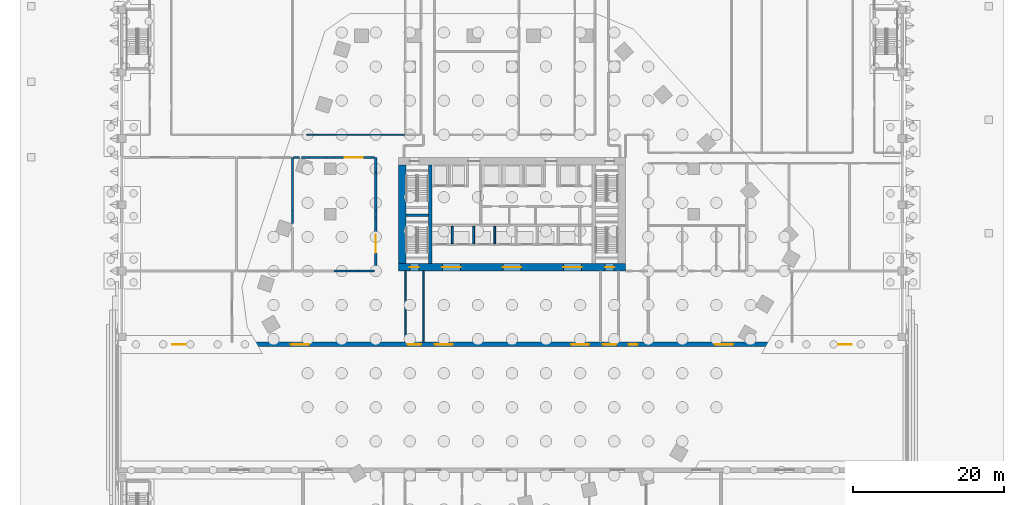
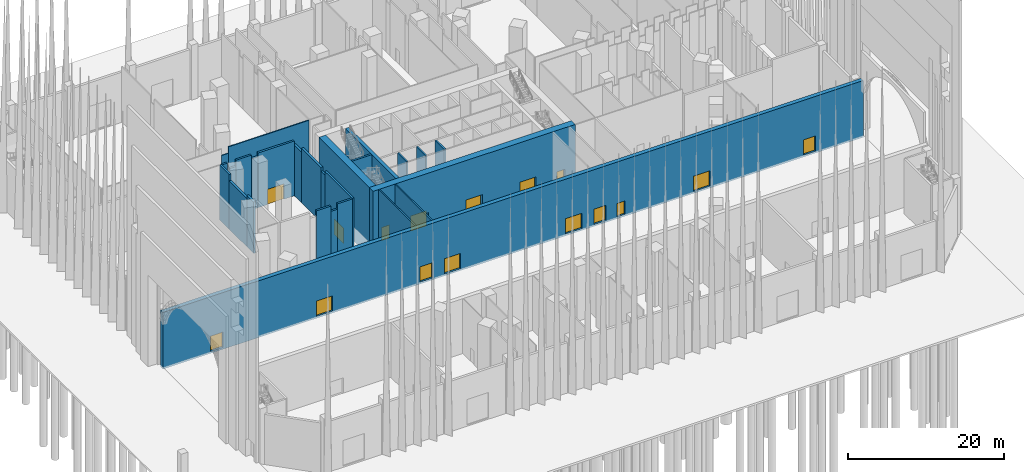
# One storey, part 9 of 32: 27 walls, 16 doors, 16 openings.
"""IFC4 building model written with IfcOpenShell, lengths in metres."""

from ifc_helpers import new_model, si_unit, direction, frame, frame_2d, origin, place, context, subcontext, project, spatial, rectangle, extrude, material, layer, layer_set, type_object, element, fill, save


model = new_model("IFC4")

# Units and contexts
model_context = context("Model", 3, precision=1e-05, world=origin(), true_north=direction((0.0, 1.0)))
body_context = subcontext(model_context, "Body", "Model", "MODEL_VIEW")
ifc_project = project(units=[si_unit("LENGTHUNIT", "METRE"), si_unit("AREAUNIT", "SQUARE_METRE"), si_unit("VOLUMEUNIT", "CUBIC_METRE"), si_unit("PLANEANGLEUNIT", "RADIAN"), si_unit("MASSUNIT", "GRAM", prefix="KILO")], contexts=[model_context])

# Site, building, storey
site_placement = place(None, origin())
site = spatial("IfcSite", under=ifc_project, at=site_placement, CompositionType="ELEMENT")
building_placement = place(site_placement, origin())
building = spatial("IfcBuilding", under=site, at=building_placement, Name="Isthmus Gate Tower", CompositionType="ELEMENT")
storey_placement = place(building_placement, origin())
storey = spatial("IfcBuildingStorey", under=building, at=storey_placement, Name="L00", CompositionType="ELEMENT", Elevation=0.0)

# Walls
ifc_material_1 = material(Name="Double-leaf gypsum board with mineral wool, resilient mounted")
ifc_layer_1 = layer(ifc_material_1, 0.300048828125)
ifc_layer_set_1 = layer_set([ifc_layer_1], Name="Acoustic studio wall 300 double leaf")
wall_type_1 = type_object("IfcWallType", Name="Acoustic studio wall 300 double leaf", PredefinedType="PARTITIONING", material=ifc_layer_set_1)
wall_1_placement = place(storey_placement, frame((-23.5, 0.0, 0.0), z_axis=(0.0, 0.0, 1.0), x_axis=(1.0, 0.0, 0.0)))
element("IfcWall", 1, at=wall_1_placement, inside=storey, type_object=wall_type_1, Name="Acoustic studio wall", PredefinedType="PARTITIONING", context=body_context, shape_type="SweptSolid", body=[
    extrude(rectangle(XDim=2.127685546875, YDim=0.300048828125, at=frame_2d((1.06396484375, 0.0))), origin(), (0.0, 0.0, 1.0), 8.60009765625),
])
wall_2_placement = place(storey_placement, frame((-21.372314453125, 0.0, 0.0), z_axis=(0.0, 0.0, 1.0), x_axis=(1.0, 0.0, 0.0)))
element("IfcWall", 2, at=wall_2_placement, inside=storey, type_object=wall_type_1, Name="Acoustic studio wall", PredefinedType="PARTITIONING", context=body_context, shape_type="SweptSolid", body=[
    extrude(rectangle(XDim=1.0, YDim=0.300048828125, at=frame_2d((0.5, 0.0))), origin(), (0.0, 0.0, 1.0), 7.764892578125),
])
wall_3_placement = place(storey_placement, frame((-20.372314453125, 0.0, 0.0), z_axis=(0.0, 0.0, 1.0), x_axis=(1.0, 0.0, 0.0)))
element("IfcWall", 3, at=wall_3_placement, inside=storey, type_object=wall_type_1, Name="Acoustic studio wall", PredefinedType="PARTITIONING", context=body_context, shape_type="SweptSolid", body=[
    extrude(rectangle(XDim=2.222412109375, YDim=0.300048828125, at=frame_2d((1.111328125, 0.0))), origin(), (0.0, 0.0, 1.0), 8.60009765625),
])
wall_4_placement = place(storey_placement, frame((-28.85009765625, 15.0, 0.0), z_axis=(0.0, 0.0, 1.0), x_axis=(1.0, 0.0, 0.0)))
element("IfcWall", 4, at=wall_4_placement, inside=storey, type_object=wall_type_1, Name="Acoustic studio wall", PredefinedType="PARTITIONING", context=body_context, shape_type="SweptSolid", body=[
    extrude(rectangle(XDim=0.763671875, YDim=0.300048828125, at=frame_2d((0.3818359375, 0.0))), origin(), (0.0, 0.0, 1.0), 8.60009765625),
])
wall_5_placement = place(storey_placement, frame((-27.80419921875, 15.0, 0.0), z_axis=(0.0, 0.0, 1.0), x_axis=(1.0, 0.0, 0.0)))
element("IfcWall", 5, at=wall_5_placement, inside=storey, type_object=wall_type_1, Name="Acoustic studio wall", PredefinedType="PARTITIONING", context=body_context, shape_type="SweptSolid", body=[
    extrude(rectangle(XDim=1.0, YDim=0.300048828125, at=frame_2d((0.5, 0.0))), origin(), (0.0, 0.0, 1.0), 7.60009765625),
])
wall_6_placement = place(storey_placement, frame((-26.80419921875, 15.0, 0.0), z_axis=(0.0, 0.0, 1.0), x_axis=(1.0, 0.0, 0.0)))
element("IfcWall", 6, at=wall_6_placement, inside=storey, type_object=wall_type_1, Name="Acoustic studio wall", PredefinedType="PARTITIONING", context=body_context, shape_type="SweptSolid", body=[
    extrude(rectangle(XDim=2.30419921875, YDim=0.300048828125, at=frame_2d((1.152099609375, 0.0))), origin(), (0.0, 0.0, 1.0), 8.60009765625),
])
wall_7_placement = place(storey_placement, frame((-24.5, 15.0, 0.0), z_axis=(0.0, 0.0, 1.0), x_axis=(1.0, 0.0, 0.0)))
element("IfcWall", 7, at=wall_7_placement, inside=storey, type_object=wall_type_1, Name="Acoustic studio wall", PredefinedType="PARTITIONING", context=body_context, shape_type="SweptSolid", body=[
    extrude(rectangle(XDim=1.0, YDim=0.300048828125, at=frame_2d((0.5, 0.0))), origin(), (0.0, 0.0, 1.0), 7.996826171875),
])

# Wall, opening, door
wall_8_placement = place(storey_placement, frame((-23.5, 15.0, 0.0), z_axis=(0.0, 0.0, 1.0), x_axis=(1.0, 0.0, 0.0)))
wall_8 = element("IfcWall", 8, at=wall_8_placement, inside=storey, type_object=wall_type_1, Name="Acoustic studio wall", PredefinedType="PARTITIONING", context=body_context, shape_type="SweptSolid", body=[
    extrude(rectangle(XDim=5.35009765625, YDim=0.300048828125, at=frame_2d((2.675048828125, 0.0))), origin(), (0.0, 0.0, 1.0), 8.60009765625),
])
opening_1_placement = place(wall_8_placement, frame((1.39990234375, 0.0, 0.0)))
opening_1 = element("IfcOpeningElement", 9, at=opening_1_placement, cuts=wall_8, Name="Opening DP00-21", PredefinedType="OPENING", context=body_context, shape_type="SweptSolid", body=[
    extrude(rectangle(XDim=2.39990234375, YDim=2.39990234375, at=frame_2d((1.199951171875, 1.199951171875))), frame((0.0, 0.159912109375, 0.0), z_axis=(0.0, -1.0, 0.0), x_axis=(1.0, 0.0, 0.0)), (0.0, 0.0, 1.0), 0.320068359375),
])
ifc_material_2 = material(Name="Hollow metal frame with solid-core timber leaves", Category="wood")
door_type_1 = type_object("IfcDoorType", Name="Double swing door 2400 x 2400", OperationType="DOUBLE_DOOR_SINGLE_SWING", PredefinedType="DOOR", material=ifc_material_2)
door_1_placement = place(opening_1_placement, origin())
door_1 = element("IfcDoor", 10, at=door_1_placement, inside=storey, type_object=door_type_1, Name="Door DP00-21", OperationType="SINGLE_SWING_LEFT", OverallHeight=2.39990234375, OverallWidth=2.39990234375, PredefinedType="DOOR", context=body_context, shape_type="SweptSolid", body=[
    extrude(rectangle(XDim=2.39990234375, YDim=2.39990234375, at=frame_2d((1.199951171875, 1.199951171875))), frame((0.0, 0.02490234375, 0.0), z_axis=(0.0, -1.0, 0.0), x_axis=(1.0, 0.0, 0.0)), (0.0, 0.0, 1.0), 0.050048828125),
])
fill(opening_1, door_1)

# Walls
wall_9_placement = place(storey_placement, frame((-29.0, 6.256103515625, 0.0), z_axis=(0.0, 0.0, 1.0), x_axis=(0.0, 1.0, 0.0)))
element("IfcWall", 11, at=wall_9_placement, inside=storey, type_object=wall_type_1, Name="Acoustic studio wall", PredefinedType="PARTITIONING", context=body_context, shape_type="SweptSolid", body=[
    extrude(rectangle(XDim=1.743896484375, YDim=0.300048828125, at=frame_2d((0.8720703125, 0.0))), origin(), (0.0, 0.0, 1.0), 8.066650390625),
])
wall_10_placement = place(storey_placement, frame((-29.0, 8.0, 0.0), z_axis=(0.0, 0.0, 1.0), x_axis=(0.0, 1.0, 0.0)))
element("IfcWall", 12, at=wall_10_placement, inside=storey, type_object=wall_type_1, Name="Acoustic studio wall", PredefinedType="PARTITIONING", context=body_context, shape_type="SweptSolid", body=[
    extrude(rectangle(XDim=4.52392578125, YDim=0.300048828125, at=frame_2d((2.261962890625, 0.0))), origin(), (0.0, 0.0, 1.0), 7.60009765625),
])
wall_11_placement = place(storey_placement, frame((-29.0, 12.52392578125, 0.0), z_axis=(0.0, 0.0, 1.0), x_axis=(0.0, 1.0, 0.0)))
element("IfcWall", 13, at=wall_11_placement, inside=storey, type_object=wall_type_1, Name="Acoustic studio wall", PredefinedType="PARTITIONING", context=body_context, shape_type="SweptSolid", body=[
    extrude(rectangle(XDim=2.47607421875, YDim=0.300048828125, at=frame_2d((1.238037109375, 0.0))), origin(), (0.0, 0.0, 1.0), 8.60009765625),
])

# Wall, opening, door
wall_12_placement = place(storey_placement, frame((-18.0, 0.0, 0.0), z_axis=(0.0, 0.0, 1.0), x_axis=(0.0, 1.0, 0.0)))
wall_12 = element("IfcWall", 14, at=wall_12_placement, inside=storey, type_object=wall_type_1, Name="Acoustic studio wall", PredefinedType="PARTITIONING", context=body_context, shape_type="SweptSolid", body=[
    extrude(rectangle(XDim=7.0, YDim=0.300048828125, at=frame_2d((3.5, 0.0))), origin(), (0.0, 0.0, 1.0), 8.60009765625),
])
opening_2_placement = place(wall_12_placement, frame((2.39990234375, 0.0, 0.0)))
opening_2 = element("IfcOpeningElement", 15, at=opening_2_placement, cuts=wall_12, Name="Opening DP00-20", PredefinedType="OPENING", context=body_context, shape_type="SweptSolid", body=[
    extrude(rectangle(XDim=2.39990234375, YDim=2.39990234375, at=frame_2d((1.199951171875, 1.199951171875))), frame((0.0, 0.159912109375, 0.0), z_axis=(0.0, -1.0, 0.0), x_axis=(1.0, 0.0, 0.0)), (0.0, 0.0, 1.0), 0.320068359375),
])
door_2_placement = place(opening_2_placement, origin())
door_2 = element("IfcDoor", 16, at=door_2_placement, inside=storey, type_object=door_type_1, Name="Door DP00-20", OperationType="SINGLE_SWING_LEFT", OverallHeight=2.39990234375, OverallWidth=2.39990234375, PredefinedType="DOOR", context=body_context, shape_type="SweptSolid", body=[
    extrude(rectangle(XDim=2.39990234375, YDim=2.39990234375, at=frame_2d((1.199951171875, 1.199951171875))), frame((0.0, 0.02490234375, 0.0), z_axis=(0.0, -1.0, 0.0), x_axis=(1.0, 0.0, 0.0)), (0.0, 0.0, 1.0), 0.050048828125),
])
fill(opening_2, door_2)

# Walls
wall_13_placement = place(storey_placement, frame((-18.0, 7.0, 0.0), z_axis=(0.0, 0.0, 1.0), x_axis=(0.0, 1.0, 0.0)))
element("IfcWall", 17, at=wall_13_placement, inside=storey, type_object=wall_type_1, Name="Acoustic studio wall", PredefinedType="PARTITIONING", context=body_context, shape_type="SweptSolid", body=[
    extrude(rectangle(XDim=1.0, YDim=0.300048828125, at=frame_2d((0.5, 0.0))), origin(), (0.0, 0.0, 1.0), 7.99365234375),
])
wall_14_placement = place(storey_placement, frame((-18.0, 8.0, 0.0), z_axis=(0.0, 0.0, 1.0), x_axis=(0.0, 1.0, 0.0)))
element("IfcWall", 18, at=wall_14_placement, inside=storey, type_object=wall_type_1, Name="Acoustic studio wall", PredefinedType="PARTITIONING", context=body_context, shape_type="SweptSolid", body=[
    extrude(rectangle(XDim=5.0, YDim=0.300048828125, at=frame_2d((2.5, 0.0))), origin(), (0.0, 0.0, 1.0), 8.60009765625),
])
wall_15_placement = place(storey_placement, frame((-18.0, 13.0, 0.0), z_axis=(0.0, 0.0, 1.0), x_axis=(0.0, 1.0, 0.0)))
element("IfcWall", 19, at=wall_15_placement, inside=storey, type_object=wall_type_1, Name="Acoustic studio wall", PredefinedType="PARTITIONING", context=body_context, shape_type="SweptSolid", body=[
    extrude(rectangle(XDim=2.0, YDim=0.300048828125, at=frame_2d((1.0, 0.0))), origin(), (0.0, 0.0, 1.0), 7.99365234375),
])
ifc_material_3 = material(Name="Concrete f'c 30 MPa", Category="concrete")
ifc_layer_2 = layer(ifc_material_3, 0.199951171875)
ifc_layer_set_2 = layer_set([ifc_layer_2], Name="Fire-rated block wall 200")
wall_type_2 = type_object("IfcWallType", Name="Fire-rated block wall 200", PredefinedType="PARTITIONING", material=ifc_layer_set_2)
for number, where, z_axis, x_axis, name in (
    (20, (-14.10009765625, -9.39990234375, 0.0), (0.0, 0.0, 1.0), (0.0, 1.0, 0.0), "Fire-rated wall"),
    (21, (-11.699951171875, -9.39990234375, 0.0), (0.0, 0.0, 1.0), (0.0, 1.0, 0.0), "Fire-rated wall"),
):
    element("IfcWall", number, at=place(storey_placement, frame(where, z_axis=z_axis, x_axis=x_axis)), inside=storey, type_object=wall_type_2, Name=name, PredefinedType="PARTITIONING", context=body_context, shape_type="SweptSolid", body=[
        extrude(rectangle(XDim=9.39990234375, YDim=0.199951171875, at=frame_2d((4.699951171875, 0.0))), origin(), (0.0, 0.0, 1.0), 8.60009765625),
    ])
ifc_material_4 = material(Name="Gypsum board on cold-formed steel studs", Category="steel")
ifc_layer_3 = layer(ifc_material_4, 0.14990234375)
ifc_layer_set_3 = layer_set([ifc_layer_3])
wall_type_3 = type_object("IfcWallType", Name="Partition 150 gypsum board on steel studs", PredefinedType="PARTITIONING", material=ifc_layer_set_3)
wall_16_placement = place(storey_placement, frame((-27.142333984375, 18.0, 0.0), z_axis=(0.0, 0.0, 1.0), x_axis=(1.0, 0.0, 0.0)))
element("IfcWall", 22, at=wall_16_placement, inside=storey, type_object=wall_type_3, Name="Partition", PredefinedType="PARTITIONING", context=body_context, shape_type="SweptSolid", body=[
    extrude(rectangle(XDim=1.0, YDim=0.14990234375, at=frame_2d((0.5, 0.0))), origin(), (0.0, 0.0, 1.0), 7.60009765625),
])
wall_17_placement = place(storey_placement, frame((-26.142333984375, 18.0, 0.0), z_axis=(0.0, 0.0, 1.0), x_axis=(1.0, 0.0, 0.0)))
element("IfcWall", 23, at=wall_17_placement, inside=storey, type_object=wall_type_3, Name="Partition", PredefinedType="PARTITIONING", context=body_context, shape_type="SweptSolid", body=[
    extrude(rectangle(XDim=11.96728515625, YDim=0.14990234375, at=frame_2d((5.983642578125, 0.0))), origin(), (0.0, 0.0, 1.0), 8.60009765625),
])
ifc_material_5 = material(Name="Concrete f'c 70 MPa", Category="concrete")
ifc_layer_4 = layer(ifc_material_5, 0.5)
ifc_layer_set_4 = layer_set([ifc_layer_4], Name="RC CORE SPINE WALL 500 F'C 70")
wall_type_4 = type_object("IfcWallType", Name="RC CORE SPINE WALL 500 F'C 70", PredefinedType="SOLIDWALL", material=ifc_layer_set_4)
wall_18_placement = place(storey_placement, frame((-10.800048828125, 1.0, -2.199951171875), z_axis=(0.0, 0.0, 1.0), x_axis=(0.0, 1.0, 0.0)))
element("IfcWall", 24, at=wall_18_placement, inside=storey, type_object=wall_type_4, Name="str-corewall-L00-SPW", PredefinedType="SOLIDWALL", context=body_context, shape_type="SweptSolid", body=[
    extrude(rectangle(XDim=13.0, YDim=0.5, at=frame_2d((6.5, 0.0))), origin(), (0.0, 0.0, 1.0), 10.800048828125),
])

# Wall, openings, doors
ifc_material_6 = material(Name="Concrete f'c 70 MPa", Category="concrete")
ifc_layer_5 = layer(ifc_material_6, 1.0)
ifc_layer_set_5 = layer_set([ifc_layer_5], Name="RC CORE WALL 1000 F'C 70")
wall_type_5 = type_object("IfcWallType", Name="RC CORE WALL 1000 F'C 70", PredefinedType="SOLIDWALL", material=ifc_layer_set_5)
wall_19_placement = place(storey_placement, frame((-15.0, 0.5, -2.199951171875), z_axis=(0.0, 0.0, 1.0), x_axis=(1.0, 0.0, 0.0)))
wall_19 = element("IfcWall", 25, at=wall_19_placement, inside=storey, type_object=wall_type_5, Name="str-corewall-L00-S", PredefinedType="SOLIDWALL", context=body_context, shape_type="SweptSolid", body=[
    extrude(rectangle(XDim=30.0, YDim=1.0, at=frame_2d((15.0, 0.0))), origin(), (0.0, 0.0, 1.0), 10.800048828125),
])
opening_3_placement = place(wall_19_placement, frame((5.800048828125, 0.0, 2.199951171875)))
opening_3 = element("IfcOpeningElement", 26, at=opening_3_placement, cuts=wall_19, Name="Opening DC-A01-08", PredefinedType="OPENING", context=body_context, shape_type="SweptSolid", body=[
    extrude(rectangle(XDim=2.39990234375, YDim=2.39990234375, at=frame_2d((1.199951171875, 1.199951171875))), frame((0.0, 0.510009765625, 0.0), z_axis=(0.0, -1.0, 0.0), x_axis=(1.0, 0.0, 0.0)), (0.0, 0.0, 1.0), 1.02001953125),
])
opening_4_placement = place(wall_19_placement, frame((13.800048828125, 0.0, 2.199951171875)))
opening_4 = element("IfcOpeningElement", 27, at=opening_4_placement, cuts=wall_19, Name="Opening DC-A01-09", PredefinedType="OPENING", context=body_context, shape_type="SweptSolid", body=[
    extrude(rectangle(XDim=2.39990234375, YDim=2.39990234375, at=frame_2d((1.199951171875, 1.199951171875))), frame((0.0, 0.510009765625, 0.0), z_axis=(0.0, -1.0, 0.0), x_axis=(1.0, 0.0, 0.0)), (0.0, 0.0, 1.0), 1.02001953125),
])
opening_5_placement = place(wall_19_placement, frame((21.800048828125, 0.0, 2.199951171875)))
opening_5 = element("IfcOpeningElement", 28, at=opening_5_placement, cuts=wall_19, Name="Opening DC-A01-10", PredefinedType="OPENING", context=body_context, shape_type="SweptSolid", body=[
    extrude(rectangle(XDim=2.39990234375, YDim=2.39990234375, at=frame_2d((1.199951171875, 1.199951171875))), frame((0.0, 0.510009765625, 0.0), z_axis=(0.0, -1.0, 0.0), x_axis=(1.0, 0.0, 0.0)), (0.0, 0.0, 1.0), 1.02001953125),
])
opening_6_placement = place(wall_19_placement, frame((1.5, 0.0, 2.199951171875)))
opening_6 = element("IfcOpeningElement", 29, at=opening_6_placement, cuts=wall_19, Name="Opening DC-A01-15", PredefinedType="OPENING", context=body_context, shape_type="SweptSolid", body=[
    extrude(rectangle(XDim=1.199951171875, YDim=2.10009765625, at=frame_2d((0.60009765625, 1.050048828125))), frame((0.0, 0.510009765625, 0.0), z_axis=(0.0, -1.0, 0.0), x_axis=(1.0, 0.0, 0.0)), (0.0, 0.0, 1.0), 1.02001953125),
])
opening_7_placement = place(wall_19_placement, frame((27.300048828125, 0.0, 2.199951171875)))
opening_7 = element("IfcOpeningElement", 30, at=opening_7_placement, cuts=wall_19, Name="Opening DC-A01-16", PredefinedType="OPENING", context=body_context, shape_type="SweptSolid", body=[
    extrude(rectangle(XDim=1.199951171875, YDim=2.10009765625, at=frame_2d((0.60009765625, 1.050048828125))), frame((0.0, 0.510009765625, 0.0), z_axis=(0.0, -1.0, 0.0), x_axis=(1.0, 0.0, 0.0)), (0.0, 0.0, 1.0), 1.02001953125),
])
ifc_material_7 = material(Name="Laminated safety glass in steel frame, fire-rated", Category="steel")
door_type_2 = type_object("IfcDoorType", Name="LOBBY ENTRANCE FIRE DOOR 2400 X 2400 60 MIN", OperationType="DOUBLE_DOOR_DOUBLE_SWING", PredefinedType="DOOR", material=ifc_material_7)
door_3_placement = place(opening_3_placement, origin())
door_3 = element("IfcDoor", 31, at=door_3_placement, inside=storey, type_object=door_type_2, Name="Lobby Entrance PS-W", OperationType="DOUBLE_DOOR_DOUBLE_SWING", OverallHeight=2.39990234375, OverallWidth=2.39990234375, PredefinedType="DOOR", context=body_context, shape_type="SweptSolid", body=[
    extrude(rectangle(XDim=2.39990234375, YDim=2.39990234375, at=frame_2d((1.199951171875, 1.199951171875))), frame((0.0, 0.02490234375, 0.0), z_axis=(0.0, -1.0, 0.0), x_axis=(1.0, 0.0, 0.0)), (0.0, 0.0, 1.0), 0.050048828125),
])
fill(opening_3, door_3)
door_4_placement = place(opening_4_placement, origin())
door_4 = element("IfcDoor", 32, at=door_4_placement, inside=storey, type_object=door_type_2, Name="Lobby Entrance PS-C", OperationType="DOUBLE_DOOR_DOUBLE_SWING", OverallHeight=2.39990234375, OverallWidth=2.39990234375, PredefinedType="DOOR", context=body_context, shape_type="SweptSolid", body=[
    extrude(rectangle(XDim=2.39990234375, YDim=2.39990234375, at=frame_2d((1.199951171875, 1.199951171875))), frame((0.0, 0.02490234375, 0.0), z_axis=(0.0, -1.0, 0.0), x_axis=(1.0, 0.0, 0.0)), (0.0, 0.0, 1.0), 0.050048828125),
])
fill(opening_4, door_4)
door_5_placement = place(opening_5_placement, origin())
door_5 = element("IfcDoor", 33, at=door_5_placement, inside=storey, type_object=door_type_2, Name="Lobby Entrance PS-E", OperationType="DOUBLE_DOOR_DOUBLE_SWING", OverallHeight=2.39990234375, OverallWidth=2.39990234375, PredefinedType="DOOR", context=body_context, shape_type="SweptSolid", body=[
    extrude(rectangle(XDim=2.39990234375, YDim=2.39990234375, at=frame_2d((1.199951171875, 1.199951171875))), frame((0.0, 0.02490234375, 0.0), z_axis=(0.0, -1.0, 0.0), x_axis=(1.0, 0.0, 0.0)), (0.0, 0.0, 1.0), 0.050048828125),
])
fill(opening_5, door_5)
ifc_material_8 = material(Name="Steel door leaf, fire-rated", Category="steel")
door_type_3 = type_object("IfcDoorType", Name="STAIR FIRE DOOR 1200 X 2100 90 MIN", OperationType="SINGLE_SWING_LEFT", PredefinedType="DOOR", material=ifc_material_8)
door_6_placement = place(opening_6_placement, origin())
door_6 = element("IfcDoor", 34, at=door_6_placement, inside=storey, type_object=door_type_3, Name="Exit Stair 7 Door", OperationType="SINGLE_SWING_LEFT", OverallHeight=2.10009765625, OverallWidth=1.199951171875, PredefinedType="DOOR", context=body_context, shape_type="SweptSolid", body=[
    extrude(rectangle(XDim=1.199951171875, YDim=2.10009765625, at=frame_2d((0.60009765625, 1.050048828125))), frame((0.0, 0.02490234375, 0.0), z_axis=(0.0, -1.0, 0.0), x_axis=(1.0, 0.0, 0.0)), (0.0, 0.0, 1.0), 0.050048828125),
])
fill(opening_6, door_6)
door_7_placement = place(opening_7_placement, origin())
door_7 = element("IfcDoor", 35, at=door_7_placement, inside=storey, type_object=door_type_3, Name="Exit Stair 8 Door", OperationType="SINGLE_SWING_RIGHT", OverallHeight=2.10009765625, OverallWidth=1.199951171875, PredefinedType="DOOR", context=body_context, shape_type="SweptSolid", body=[
    extrude(rectangle(XDim=1.199951171875, YDim=2.10009765625, at=frame_2d((0.60009765625, 1.050048828125))), frame((0.0, 0.02490234375, 0.0), z_axis=(0.0, -1.0, 0.0), x_axis=(1.0, 0.0, 0.0)), (0.0, 0.0, 1.0), 0.050048828125),
])
fill(opening_7, door_7)

# Wall
wall_20_placement = place(storey_placement, frame((-14.5, 1.0, -2.199951171875), z_axis=(0.0, 0.0, 1.0), x_axis=(0.0, 1.0, 0.0)))
element("IfcWall", 36, at=wall_20_placement, inside=storey, type_object=wall_type_5, Name="str-corewall-L00-W", PredefinedType="SOLIDWALL", context=body_context, shape_type="SweptSolid", body=[
    extrude(rectangle(XDim=13.0, YDim=1.0, at=frame_2d((6.5, 0.0))), origin(), (0.0, 0.0, 1.0), 10.800048828125),
])

# Wall, openings, doors
ifc_material_9 = material(Name="Concrete f'c 70 MPa", Category="concrete")
ifc_layer_6 = layer(ifc_material_9, 0.60009765625)
ifc_layer_set_6 = layer_set([ifc_layer_6], Name="RC PASSAGE WALL 600 F'C 70")
wall_type_6 = type_object("IfcWallType", Name="RC PASSAGE WALL 600 F'C 70", PredefinedType="SOLIDWALL", material=ifc_layer_set_6)
wall_21_placement = place(storey_placement, frame((-52.0, -9.699951171875, -0.300048828125), z_axis=(0.0, 0.0, 1.0), x_axis=(1.0, 0.0, 0.0)))
wall_21 = element("IfcWall", 37, at=wall_21_placement, inside=storey, type_object=wall_type_6, Name="str-passwall-N-L00-1", PredefinedType="SOLIDWALL", context=body_context, shape_type="SweptSolid", body=[
    extrude(rectangle(XDim=104.0, YDim=0.60009765625, at=frame_2d((52.0, 0.0))), origin(), (0.0, 0.0, 1.0), 8.900146484375),
])
opening_8_placement = place(wall_21_placement, frame((67.39990234375, 0.0, 0.300048828125)))
opening_8 = element("IfcOpeningElement", 38, at=opening_8_placement, cuts=wall_21, Name="Opening DP00-50", PredefinedType="OPENING", context=body_context, shape_type="SweptSolid", body=[
    extrude(rectangle(XDim=1.199951171875, YDim=2.10009765625, at=frame_2d((0.60009765625, 1.050048828125))), frame((0.0, 0.31005859375, 0.0), z_axis=(0.0, -1.0, 0.0), x_axis=(1.0, 0.0, 0.0)), (0.0, 0.0, 1.0), 0.6201171875),
])
opening_9_placement = place(wall_21_placement, frame((38.199951171875, 0.0, 0.300048828125)))
opening_9 = element("IfcOpeningElement", 39, at=opening_9_placement, cuts=wall_21, Name="Opening DP00-51", PredefinedType="OPENING", context=body_context, shape_type="SweptSolid", body=[
    extrude(rectangle(XDim=1.800048828125, YDim=2.39990234375, at=frame_2d((0.89990234375, 1.199951171875))), frame((0.0, 0.31005859375, 0.0), z_axis=(0.0, -1.0, 0.0), x_axis=(1.0, 0.0, 0.0)), (0.0, 0.0, 1.0), 0.6201171875),
])
opening_10_placement = place(wall_21_placement, frame((64.0, 0.0, 0.300048828125)))
opening_10 = element("IfcOpeningElement", 40, at=opening_10_placement, cuts=wall_21, Name="Opening DP00-52", PredefinedType="OPENING", context=body_context, shape_type="SweptSolid", body=[
    extrude(rectangle(XDim=1.800048828125, YDim=2.39990234375, at=frame_2d((0.89990234375, 1.199951171875))), frame((0.0, 0.31005859375, 0.0), z_axis=(0.0, -1.0, 0.0), x_axis=(1.0, 0.0, 0.0)), (0.0, 0.0, 1.0), 0.6201171875),
])
opening_11_placement = place(wall_21_placement, frame((41.800048828125, 0.0, 0.300048828125)))
opening_11 = element("IfcOpeningElement", 41, at=opening_11_placement, cuts=wall_21, Name="Opening DP00-53", PredefinedType="OPENING", context=body_context, shape_type="SweptSolid", body=[
    extrude(rectangle(XDim=2.39990234375, YDim=2.39990234375, at=frame_2d((1.199951171875, 1.199951171875))), frame((0.0, 0.31005859375, 0.0), z_axis=(0.0, -1.0, 0.0), x_axis=(1.0, 0.0, 0.0)), (0.0, 0.0, 1.0), 0.6201171875),
])
opening_12_placement = place(wall_21_placement, frame((59.800048828125, 0.0, 0.300048828125)))
opening_12 = element("IfcOpeningElement", 42, at=opening_12_placement, cuts=wall_21, Name="Opening DP00-54", PredefinedType="OPENING", context=body_context, shape_type="SweptSolid", body=[
    extrude(rectangle(XDim=2.39990234375, YDim=2.39990234375, at=frame_2d((1.199951171875, 1.199951171875))), frame((0.0, 0.31005859375, 0.0), z_axis=(0.0, -1.0, 0.0), x_axis=(1.0, 0.0, 0.0)), (0.0, 0.0, 1.0), 0.6201171875),
])
opening_13_placement = place(wall_21_placement, frame((22.800048828125, 0.0, 0.300048828125)))
opening_13 = element("IfcOpeningElement", 43, at=opening_13_placement, cuts=wall_21, Name="Opening DP00-55", PredefinedType="OPENING", context=body_context, shape_type="SweptSolid", body=[
    extrude(rectangle(XDim=2.39990234375, YDim=2.39990234375, at=frame_2d((1.199951171875, 1.199951171875))), frame((0.0, 0.31005859375, 0.0), z_axis=(0.0, -1.0, 0.0), x_axis=(1.0, 0.0, 0.0)), (0.0, 0.0, 1.0), 0.6201171875),
])
opening_14_placement = place(wall_21_placement, frame((78.800048828125, 0.0, 0.300048828125)))
opening_14 = element("IfcOpeningElement", 44, at=opening_14_placement, cuts=wall_21, Name="Opening DP00-56", PredefinedType="OPENING", context=body_context, shape_type="SweptSolid", body=[
    extrude(rectangle(XDim=2.39990234375, YDim=2.39990234375, at=frame_2d((1.199951171875, 1.199951171875))), frame((0.0, 0.31005859375, 0.0), z_axis=(0.0, -1.0, 0.0), x_axis=(1.0, 0.0, 0.0)), (0.0, 0.0, 1.0), 0.6201171875),
])
opening_15_placement = place(wall_21_placement, frame((7.10009765625, 0.0, 0.300048828125)))
opening_15 = element("IfcOpeningElement", 45, at=opening_15_placement, cuts=wall_21, Name="Opening DP00-57", PredefinedType="OPENING", context=body_context, shape_type="SweptSolid", body=[
    extrude(rectangle(XDim=1.800048828125, YDim=2.39990234375, at=frame_2d((0.89990234375, 1.199951171875))), frame((0.0, 0.31005859375, 0.0), z_axis=(0.0, -1.0, 0.0), x_axis=(1.0, 0.0, 0.0)), (0.0, 0.0, 1.0), 0.6201171875),
])
opening_16_placement = place(wall_21_placement, frame((95.10009765625, 0.0, 0.300048828125)))
opening_16 = element("IfcOpeningElement", 46, at=opening_16_placement, cuts=wall_21, Name="Opening DP00-58", PredefinedType="OPENING", context=body_context, shape_type="SweptSolid", body=[
    extrude(rectangle(XDim=1.800048828125, YDim=2.39990234375, at=frame_2d((0.89990234375, 1.199951171875))), frame((0.0, 0.31005859375, 0.0), z_axis=(0.0, -1.0, 0.0), x_axis=(1.0, 0.0, 0.0)), (0.0, 0.0, 1.0), 0.6201171875),
])
ifc_material_10 = material(Name="Laminated glass leaves in aluminium frame", Category="aluminium")
door_type_4 = type_object("IfcDoorType", Name="Automatic sliding door 2400 x 2400", OperationType="SLIDING_TO_LEFT", PredefinedType="DOOR", material=ifc_material_10)
door_8_placement = place(opening_11_placement, frame((2.39990234375, 0.0, 0.0), z_axis=(0.0, 0.0, 1.0), x_axis=(-1.0, 0.0, 0.0)))
door_8 = element("IfcDoor", 47, at=door_8_placement, inside=storey, type_object=door_type_4, Name="Door DP00-53", OperationType="SINGLE_SWING_LEFT", OverallHeight=2.39990234375, OverallWidth=2.39990234375, PredefinedType="DOOR", context=body_context, shape_type="SweptSolid", body=[
    extrude(rectangle(XDim=2.39990234375, YDim=2.39990234375, at=frame_2d((1.199951171875, 1.199951171875))), frame((0.0, 0.02490234375, 0.0), z_axis=(0.0, -1.0, 0.0), x_axis=(1.0, 0.0, 0.0)), (0.0, 0.0, 1.0), 0.050048828125),
])
fill(opening_11, door_8)
door_9_placement = place(opening_12_placement, frame((2.39990234375, 0.0, 0.0), z_axis=(0.0, 0.0, 1.0), x_axis=(-1.0, 0.0, 0.0)))
door_9 = element("IfcDoor", 48, at=door_9_placement, inside=storey, type_object=door_type_4, Name="Door DP00-54", OperationType="SINGLE_SWING_LEFT", OverallHeight=2.39990234375, OverallWidth=2.39990234375, PredefinedType="DOOR", context=body_context, shape_type="SweptSolid", body=[
    extrude(rectangle(XDim=2.39990234375, YDim=2.39990234375, at=frame_2d((1.199951171875, 1.199951171875))), frame((0.0, 0.02490234375, 0.0), z_axis=(0.0, -1.0, 0.0), x_axis=(1.0, 0.0, 0.0)), (0.0, 0.0, 1.0), 0.050048828125),
])
fill(opening_12, door_9)
door_10_placement = place(opening_13_placement, frame((2.39990234375, 0.0, 0.0), z_axis=(0.0, 0.0, 1.0), x_axis=(-1.0, 0.0, 0.0)))
door_10 = element("IfcDoor", 49, at=door_10_placement, inside=storey, type_object=door_type_4, Name="Door DP00-55", OperationType="SINGLE_SWING_LEFT", OverallHeight=2.39990234375, OverallWidth=2.39990234375, PredefinedType="DOOR", context=body_context, shape_type="SweptSolid", body=[
    extrude(rectangle(XDim=2.39990234375, YDim=2.39990234375, at=frame_2d((1.199951171875, 1.199951171875))), frame((0.0, 0.02490234375, 0.0), z_axis=(0.0, -1.0, 0.0), x_axis=(1.0, 0.0, 0.0)), (0.0, 0.0, 1.0), 0.050048828125),
])
fill(opening_13, door_10)
door_11_placement = place(opening_14_placement, frame((2.39990234375, 0.0, 0.0), z_axis=(0.0, 0.0, 1.0), x_axis=(-1.0, 0.0, 0.0)))
door_11 = element("IfcDoor", 50, at=door_11_placement, inside=storey, type_object=door_type_4, Name="Door DP00-56", OperationType="SINGLE_SWING_LEFT", OverallHeight=2.39990234375, OverallWidth=2.39990234375, PredefinedType="DOOR", context=body_context, shape_type="SweptSolid", body=[
    extrude(rectangle(XDim=2.39990234375, YDim=2.39990234375, at=frame_2d((1.199951171875, 1.199951171875))), frame((0.0, 0.02490234375, 0.0), z_axis=(0.0, -1.0, 0.0), x_axis=(1.0, 0.0, 0.0)), (0.0, 0.0, 1.0), 0.050048828125),
])
fill(opening_14, door_11)
ifc_material_11 = material(Name="Hollow metal frame with solid-core timber leaves", Category="wood")
door_type_5 = type_object("IfcDoorType", Name="Double swing door 1800 x 2400", OperationType="DOUBLE_DOOR_SINGLE_SWING", PredefinedType="DOOR", material=ifc_material_11)
door_12_placement = place(opening_15_placement, frame((1.800048828125, 0.0, 0.0), z_axis=(0.0, 0.0, 1.0), x_axis=(-1.0, 0.0, 0.0)))
door_12 = element("IfcDoor", 51, at=door_12_placement, inside=storey, type_object=door_type_5, Name="Door DP00-57", OperationType="SINGLE_SWING_LEFT", OverallHeight=2.39990234375, OverallWidth=1.800048828125, PredefinedType="DOOR", context=body_context, shape_type="SweptSolid", body=[
    extrude(rectangle(XDim=1.800048828125, YDim=2.39990234375, at=frame_2d((0.89990234375, 1.199951171875))), frame((0.0, 0.02490234375, 0.0), z_axis=(0.0, -1.0, 0.0), x_axis=(1.0, 0.0, 0.0)), (0.0, 0.0, 1.0), 0.050048828125),
])
fill(opening_15, door_12)
door_13_placement = place(opening_16_placement, frame((1.800048828125, 0.0, 0.0), z_axis=(0.0, 0.0, 1.0), x_axis=(-1.0, 0.0, 0.0)))
door_13 = element("IfcDoor", 52, at=door_13_placement, inside=storey, type_object=door_type_5, Name="Door DP00-58", OperationType="SINGLE_SWING_LEFT", OverallHeight=2.39990234375, OverallWidth=1.800048828125, PredefinedType="DOOR", context=body_context, shape_type="SweptSolid", body=[
    extrude(rectangle(XDim=1.800048828125, YDim=2.39990234375, at=frame_2d((0.89990234375, 1.199951171875))), frame((0.0, 0.02490234375, 0.0), z_axis=(0.0, -1.0, 0.0), x_axis=(1.0, 0.0, 0.0)), (0.0, 0.0, 1.0), 0.050048828125),
])
fill(opening_16, door_13)
ifc_material_12 = material(Name="Steel fire door with intumescent seals", Category="steel")
door_type_6 = type_object("IfcDoorType", Name="Fire door 1200 x 2100", OperationType="SINGLE_SWING_LEFT", PredefinedType="DOOR", material=ifc_material_12)
door_14_placement = place(opening_8_placement, frame((1.199951171875, 0.0, 0.0), z_axis=(0.0, 0.0, 1.0), x_axis=(-1.0, 0.0, 0.0)))
door_14 = element("IfcDoor", 53, at=door_14_placement, inside=storey, type_object=door_type_6, Name="Door DP00-50", OperationType="SINGLE_SWING_LEFT", OverallHeight=2.10009765625, OverallWidth=1.199951171875, PredefinedType="DOOR", context=body_context, shape_type="SweptSolid", body=[
    extrude(rectangle(XDim=1.199951171875, YDim=2.10009765625, at=frame_2d((0.60009765625, 1.050048828125))), frame((0.0, 0.02490234375, 0.0), z_axis=(0.0, -1.0, 0.0), x_axis=(1.0, 0.0, 0.0)), (0.0, 0.0, 1.0), 0.050048828125),
])
fill(opening_8, door_14)
ifc_material_13 = material(Name="Steel fire door with intumescent seals", Category="steel")
door_type_7 = type_object("IfcDoorType", Name="Fire door 1800 x 2400", OperationType="SINGLE_SWING_LEFT", PredefinedType="DOOR", material=ifc_material_13)
door_15_placement = place(opening_9_placement, frame((1.800048828125, 0.0, 0.0), z_axis=(0.0, 0.0, 1.0), x_axis=(-1.0, 0.0, 0.0)))
door_15 = element("IfcDoor", 54, at=door_15_placement, inside=storey, type_object=door_type_7, Name="Door DP00-51", OperationType="SINGLE_SWING_LEFT", OverallHeight=2.39990234375, OverallWidth=1.800048828125, PredefinedType="DOOR", context=body_context, shape_type="SweptSolid", body=[
    extrude(rectangle(XDim=1.800048828125, YDim=2.39990234375, at=frame_2d((0.89990234375, 1.199951171875))), frame((0.0, 0.02490234375, 0.0), z_axis=(0.0, -1.0, 0.0), x_axis=(1.0, 0.0, 0.0)), (0.0, 0.0, 1.0), 0.050048828125),
])
fill(opening_9, door_15)
door_16_placement = place(opening_10_placement, frame((1.800048828125, 0.0, 0.0), z_axis=(0.0, 0.0, 1.0), x_axis=(-1.0, 0.0, 0.0)))
door_16 = element("IfcDoor", 55, at=door_16_placement, inside=storey, type_object=door_type_7, Name="Door DP00-52", OperationType="SINGLE_SWING_LEFT", OverallHeight=2.39990234375, OverallWidth=1.800048828125, PredefinedType="DOOR", context=body_context, shape_type="SweptSolid", body=[
    extrude(rectangle(XDim=1.800048828125, YDim=2.39990234375, at=frame_2d((0.89990234375, 1.199951171875))), frame((0.0, 0.02490234375, 0.0), z_axis=(0.0, -1.0, 0.0), x_axis=(1.0, 0.0, 0.0)), (0.0, 0.0, 1.0), 0.050048828125),
])
fill(opening_10, door_16)

# Walls
ifc_material_14 = material(Name="Fire-rated blockwork masonry, 15 MPa", Category="masonry")
ifc_layer_7 = layer(ifc_material_14, 0.25)
ifc_layer_set_7 = layer_set([ifc_layer_7], Name="SHAFT WALL 250 120 MIN")
wall_type_7 = type_object("IfcWallType", Name="SHAFT WALL 250 120 MIN", PredefinedType="PARTITIONING", material=ifc_layer_set_7)
for number, where, z_axis, x_axis, name in (
    (56, (-7.875, 3.60009765625, 0.0), (0.0, 0.0, 1.0), (0.0, 1.0, 0.0), "L00 SHAFT WALL 250 120 MIN"),
    (57, (-5.074951171875, 3.60009765625, 0.0), (0.0, 0.0, 1.0), (0.0, 1.0, 0.0), "L00 SHAFT WALL 250 120 MIN"),
    (58, (-2.27490234375, 3.60009765625, 0.0), (0.0, 0.0, 1.0), (0.0, 1.0, 0.0), "L00 SHAFT WALL 250 120 MIN"),
):
    element("IfcWall", number, at=place(storey_placement, frame(where, z_axis=z_axis, x_axis=x_axis)), inside=storey, type_object=wall_type_7, Name=name, PredefinedType="PARTITIONING", context=body_context, shape_type="SweptSolid", body=[
        extrude(rectangle(XDim=2.2998046875, YDim=0.25, at=frame_2d((1.14990234375, 0.0))), origin(), (0.0, 0.0, 1.0), 8.60009765625),
    ])
ifc_material_15 = material(Name="Concrete f'c 40 MPa", Category="concrete")
ifc_layer_8 = layer(ifc_material_15, 0.300048828125)
ifc_layer_set_8 = layer_set([ifc_layer_8], Name="STAIR ENCLOSURE WALL 300 180 MIN")
wall_type_8 = type_object("IfcWallType", Name="STAIR ENCLOSURE WALL 300 180 MIN", PredefinedType="SOLIDWALL", material=ifc_layer_set_8)
wall_22_placement = place(storey_placement, frame((-14.0, 7.35009765625, 0.0), z_axis=(0.0, 0.0, 1.0), x_axis=(1.0, 0.0, 0.0)))
element("IfcWall", 59, at=wall_22_placement, inside=storey, type_object=wall_type_8, Name="L00 STAIR ENCLOSURE WALL 300 180 MIN", PredefinedType="SOLIDWALL", context=body_context, shape_type="SweptSolid", body=[
    extrude(rectangle(XDim=2.949951171875, YDim=0.300048828125, at=frame_2d((1.47509765625, 0.0))), origin(), (0.0, 0.0, 1.0), 8.60009765625),
])

save(model, "model.ifc")
